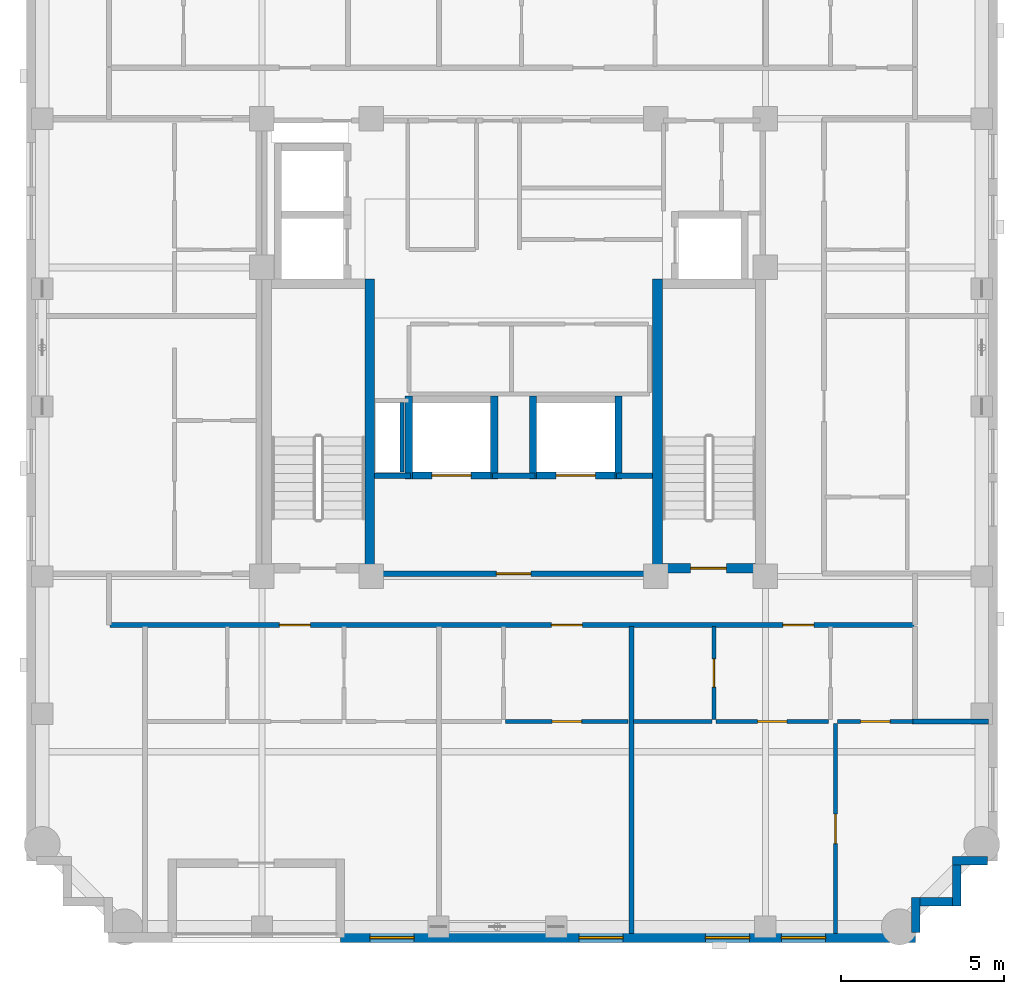
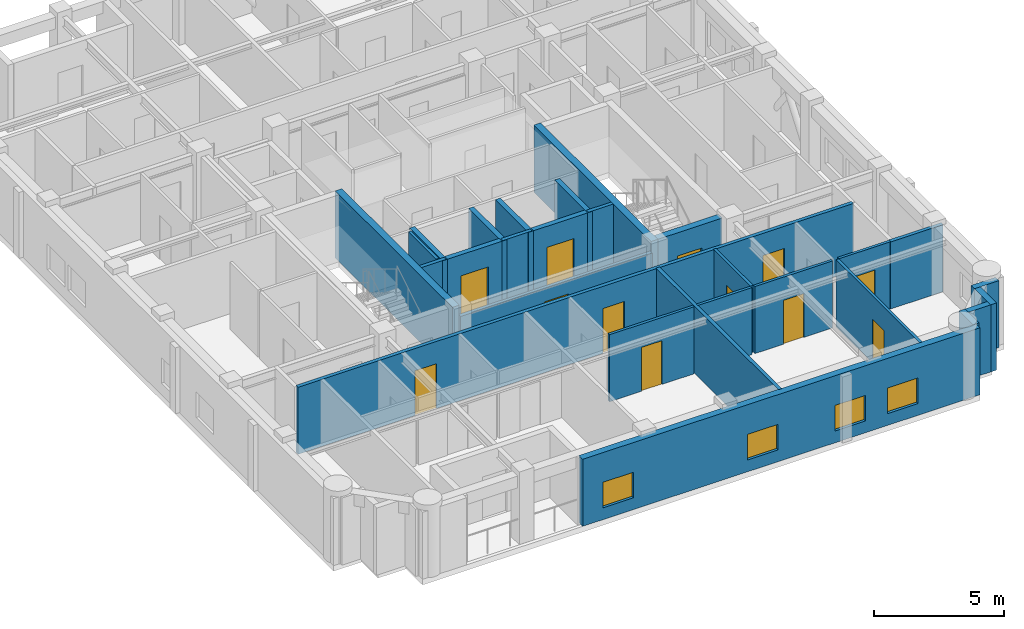
# One storey, part 3 of 10: 28 walls, 12 doors, 4 windows, 16 openings.
"""IFC4 building model written with IfcOpenShell, lengths in metres."""

from ifc_helpers import new_model, si_unit, derived_unit, direction, frame, frame_2d, origin, place, context, subcontext, project, spatial, rectangle, extrude, material, layer, layer_set, type_object, element, fill, save


model = new_model("IFC4")

# Units and contexts
model_context = context("Model", 3, precision=1e-05, world=origin(), true_north=direction((0.0, 1.0)))
body_context = subcontext(model_context, "Body", "Model", "MODEL_VIEW")
ifc_project = project(units=[si_unit("LENGTHUNIT", "METRE"), si_unit("AREAUNIT", "SQUARE_METRE"), si_unit("VOLUMEUNIT", "CUBIC_METRE"), si_unit("PLANEANGLEUNIT", "RADIAN"), si_unit("MASSUNIT", "GRAM", prefix="KILO"), derived_unit("THERMALTRANSMITTANCEUNIT", [(si_unit("MASSUNIT", "GRAM", prefix="KILO"), 1), (si_unit("TIMEUNIT", "SECOND"), -3), (si_unit("THERMODYNAMICTEMPERATUREUNIT", "KELVIN"), -1)])], contexts=[model_context])

# Site, building, storey
site_placement = place(None, origin())
site = spatial("IfcSite", under=ifc_project, at=site_placement, CompositionType="ELEMENT")
building_placement = place(site_placement, origin())
building = spatial("IfcBuilding", under=site, at=building_placement, Name="Korrvale Station Residences", CompositionType="ELEMENT")
storey_placement = place(building_placement, frame((0.0, 0.0, 234.300048828125)))
storey = spatial("IfcBuildingStorey", under=building, at=storey_placement, Name="L68", CompositionType="ELEMENT", Elevation=234.300048828125)

# Walls
ifc_material_1 = material(Name="Concrete C50/60", Category="concrete")
ifc_layer_1 = layer(ifc_material_1, 0.300048828125, Name="Concrete C50/60")
ifc_layer_set_1 = layer_set([ifc_layer_1], Name="Concrete C50/60")
wall_type_1 = type_object("IfcWallType", Name="WAL-CORE-300-C50", PredefinedType="SHEAR", material=ifc_layer_set_1)
for number, where, z_axis, x_axis, name in (
    (1, (21.10009765625, 15.10009765625, 0.0), (0.0, 0.0, 1.0), (0.0, 1.0, 0.0), "L68 ST-1 Core Shear Wall East"),
    (2, (29.89990234375, 15.10009765625, 0.0), (0.0, 0.0, 1.0), (0.0, 1.0, 0.0), "L68 ST-2 Core Shear Wall West"),
):
    element("IfcWall", number, at=place(storey_placement, frame(where, z_axis=z_axis, x_axis=x_axis)), inside=storey, type_object=wall_type_1, Name=name, PredefinedType="SHEAR", context=body_context, shape_type="SweptSolid", body=[
        extrude(rectangle(XDim=9.0, YDim=0.300048828125, at=frame_2d((4.5, 0.0))), origin(), (0.0, 0.0, 1.0), 3.139892578125),
    ])

# Wall, opening, door
wall_1_placement = place(storey_placement, frame((30.050048828125, 15.25, 0.0), z_axis=(0.0, 0.0, 1.0), x_axis=(1.0, 0.0, 0.0)))
wall_1 = element("IfcWall", 3, at=wall_1_placement, inside=storey, type_object=wall_type_1, Name="L68 ST-2 Core Shear Wall South", PredefinedType="SHEAR", context=body_context, shape_type="SweptSolid", body=[
    extrude(rectangle(XDim=2.849853515625, YDim=0.300048828125, at=frame_2d((1.4248046875, 0.0))), origin(), (0.0, 0.0, 1.0), 3.139892578125),
])
opening_1_placement = place(wall_1_placement, frame((0.860107421875, 0.0, 0.0)))
opening_1 = element("IfcOpeningElement", 4, at=opening_1_placement, cuts=wall_1, Name="Opening SD-1100", PredefinedType="OPENING", context=body_context, shape_type="SweptSolid", body=[
    extrude(rectangle(XDim=1.10009765625, YDim=2.050048828125, at=frame_2d((0.550048828125, 1.02490234375))), frame((0.0, 0.16015625, 0.0), z_axis=(0.0, -1.0, 0.0), x_axis=(1.0, 0.0, 0.0)), (0.0, 0.0, 1.0), 0.320068359375),
])
ifc_material_2 = material(Name="Hollow-metal fire-rated stair door with closer", Category="steel")
door_type_1 = type_object("IfcDoorType", Name="DR-STAIR-1100", OperationType="NOTDEFINED", PredefinedType="DOOR", material=ifc_material_2)
door_1_placement = place(opening_1_placement, origin())
door_1 = element("IfcDoor", 5, at=door_1_placement, inside=storey, type_object=door_type_1, Name="L68 ST-2 Exit Stair Door", OperationType="SINGLE_SWING_RIGHT", OverallHeight=2.050048828125, OverallWidth=1.10009765625, PredefinedType="DOOR", context=body_context, shape_type="SweptSolid", body=[
    extrude(rectangle(XDim=1.10009765625, YDim=2.050048828125, at=frame_2d((0.550048828125, 1.02490234375))), frame((0.0, 0.02490234375, 0.0), z_axis=(0.0, -1.0, 0.0), x_axis=(1.0, 0.0, 0.0)), (0.0, 0.0, 1.0), 0.050048828125),
])
fill(opening_1, door_1)

# Walls
ifc_material_3 = material(Name="Precast concrete C45/55", Category="concrete")
ifc_layer_2 = layer(ifc_material_3, 0.260009765625, Name="Precast concrete C45/55")
ifc_layer_set_2 = layer_set([ifc_layer_2], Name="Precast concrete C45/55")
wall_type_2 = type_object("IfcWallType", Name="WAL-EXT-LOG260", PredefinedType="SOLIDWALL", material=ifc_layer_set_2)
wall_2_placement = place(storey_placement, frame((39.998046875, 6.300048828125, 0.0), z_axis=(0.0, 0.0, 1.0), x_axis=(-1.0, 0.0, 0.0)))
element("IfcWall", 6, at=wall_2_placement, inside=storey, type_object=wall_type_2, Name="L68 Serrated Corner Precast Step SE-1", PredefinedType="SOLIDWALL", context=body_context, shape_type="SweptSolid", body=[
    extrude(rectangle(XDim=1.078125, YDim=0.260009765625, at=frame_2d((0.5390625, 0.0))), origin(), (0.0, 0.0, 1.0), 3.139892578125),
])
wall_3_placement = place(storey_placement, frame((39.050048828125, 6.16796875, 0.0), z_axis=(0.0, 0.0, 1.0), x_axis=(0.0, -1.0, 0.0)))
element("IfcWall", 7, at=wall_3_placement, inside=storey, type_object=wall_type_2, Name="L68 Serrated Corner Precast Step SE-2", PredefinedType="SOLIDWALL", context=body_context, shape_type="SweptSolid", body=[
    extrude(rectangle(XDim=1.248046875, YDim=0.260009765625, at=frame_2d((0.6240234375, 0.0))), origin(), (0.0, 0.0, 1.0), 3.139892578125),
])
wall_4_placement = place(storey_placement, frame((38.91796875, 5.050048828125, 0.0), z_axis=(0.0, 0.0, 1.0), x_axis=(-1.0, 0.0, 0.0)))
element("IfcWall", 8, at=wall_4_placement, inside=storey, type_object=wall_type_2, Name="L68 Serrated Corner Precast Step SE-3", PredefinedType="SOLIDWALL", context=body_context, shape_type="SweptSolid", body=[
    extrude(rectangle(XDim=0.986083984375, YDim=0.260009765625, at=frame_2d((0.4931640625, 0.0))), origin(), (0.0, 0.0, 1.0), 3.139892578125),
])
wall_5_placement = place(storey_placement, frame((37.800048828125, 5.179931640625, 0.0), z_axis=(0.0, 0.0, 1.0), x_axis=(0.0, -1.0, 0.0)))
element("IfcWall", 9, at=wall_5_placement, inside=storey, type_object=wall_type_2, Name="L68 Serrated Corner Precast Step SE-4", PredefinedType="SOLIDWALL", context=body_context, shape_type="SweptSolid", body=[
    extrude(rectangle(XDim=1.077880859375, YDim=0.260009765625, at=frame_2d((0.5390625, 0.0))), origin(), (0.0, 0.0, 1.0), 3.139892578125),
])

# Wall, openings, windows
ifc_layer_3 = layer(ifc_material_3, 0.300048828125, Name="Precast concrete C45/55")
ifc_layer_set_3 = layer_set([ifc_layer_3], Name="Precast concrete C45/55")
wall_type_3 = type_object("IfcWallType", Name="WAL-EXT-PC300", PredefinedType="SOLIDWALL", material=ifc_layer_set_3)
wall_6_placement = place(storey_placement, frame((37.800048828125, 3.949951171875, 0.0), z_axis=(0.0, 0.0, 1.0), x_axis=(-1.0, 0.0, 0.0)))
wall_6 = element("IfcWall", 10, at=wall_6_placement, inside=storey, type_object=wall_type_3, Name="L68 South Exterior Precast Wall 1", PredefinedType="SOLIDWALL", context=body_context, shape_type="SweptSolid", body=[
    extrude(rectangle(XDim=17.60009765625, YDim=0.300048828125, at=frame_2d((8.800048828125, 0.0))), origin(), (0.0, 0.0, 1.0), 3.139892578125),
])
opening_2_placement = place(wall_6_placement, frame((15.344970703125, 0.0, 0.550048828125)))
opening_2 = element("IfcOpeningElement", 11, at=opening_2_placement, cuts=wall_6, Name="Opening W-10", PredefinedType="OPENING", context=body_context, shape_type="SweptSolid", body=[
    extrude(rectangle(XDim=1.35009765625, YDim=1.199951171875, at=frame_2d((0.675048828125, 0.60009765625))), frame((0.0, 0.16015625, 0.0), z_axis=(0.0, -1.0, 0.0), x_axis=(1.0, 0.0, 0.0)), (0.0, 0.0, 1.0), 0.320068359375),
])
opening_3_placement = place(wall_6_placement, frame((8.949951171875, 0.0, 0.550048828125)))
opening_3 = element("IfcOpeningElement", 12, at=opening_3_placement, cuts=wall_6, Name="Opening W-10", PredefinedType="OPENING", context=body_context, shape_type="SweptSolid", body=[
    extrude(rectangle(XDim=1.35009765625, YDim=1.199951171875, at=frame_2d((0.675048828125, 0.60009765625))), frame((0.0, 0.16015625, 0.0), z_axis=(0.0, -1.0, 0.0), x_axis=(1.0, 0.0, 0.0)), (0.0, 0.0, 1.0), 0.320068359375),
])
opening_4_placement = place(wall_6_placement, frame((5.0849609375, 0.0, 0.550048828125)))
opening_4 = element("IfcOpeningElement", 13, at=opening_4_placement, cuts=wall_6, Name="Opening W-10", PredefinedType="OPENING", context=body_context, shape_type="SweptSolid", body=[
    extrude(rectangle(XDim=1.35009765625, YDim=1.199951171875, at=frame_2d((0.675048828125, 0.60009765625))), frame((0.0, 0.16015625, 0.0), z_axis=(0.0, -1.0, 0.0), x_axis=(1.0, 0.0, 0.0)), (0.0, 0.0, 1.0), 0.320068359375),
])
opening_5_placement = place(wall_6_placement, frame((2.757080078125, 0.0, 0.550048828125)))
opening_5 = element("IfcOpeningElement", 14, at=opening_5_placement, cuts=wall_6, Name="Opening W-10", PredefinedType="OPENING", context=body_context, shape_type="SweptSolid", body=[
    extrude(rectangle(XDim=1.35009765625, YDim=1.199951171875, at=frame_2d((0.675048828125, 0.60009765625))), frame((0.0, 0.16015625, 0.0), z_axis=(0.0, -1.0, 0.0), x_axis=(1.0, 0.0, 0.0)), (0.0, 0.0, 1.0), 0.320068359375),
])
ifc_material_4 = material(Name="Thermally broken aluminium frame with triple low-e glazing", Category="aluminium")
window_type = type_object("IfcWindowType", Name="WIN-W10", PartitioningType="SINGLE_PANEL", PredefinedType="WINDOW", material=ifc_material_4)
window_1_placement = place(opening_2_placement, origin())
window_1 = element("IfcWindow", 15, at=window_1_placement, inside=storey, type_object=window_type, Name="L68 Punched Window 01", OverallHeight=1.199951171875, OverallWidth=1.35009765625, PartitioningType="SINGLE_PANEL", PredefinedType="WINDOW", context=body_context, shape_type="SweptSolid", body=[
    extrude(rectangle(XDim=1.35009765625, YDim=1.199951171875, at=frame_2d((0.675048828125, 0.60009765625))), frame((0.0, 0.030029296875, 0.0), z_axis=(0.0, -1.0, 0.0), x_axis=(1.0, 0.0, 0.0)), (0.0, 0.0, 1.0), 0.06005859375),
])
fill(opening_2, window_1)
window_2_placement = place(opening_3_placement, origin())
window_2 = element("IfcWindow", 16, at=window_2_placement, inside=storey, type_object=window_type, Name="L68 Punched Window 02", OverallHeight=1.199951171875, OverallWidth=1.35009765625, PartitioningType="SINGLE_PANEL", PredefinedType="WINDOW", context=body_context, shape_type="SweptSolid", body=[
    extrude(rectangle(XDim=1.35009765625, YDim=1.199951171875, at=frame_2d((0.675048828125, 0.60009765625))), frame((0.0, 0.030029296875, 0.0), z_axis=(0.0, -1.0, 0.0), x_axis=(1.0, 0.0, 0.0)), (0.0, 0.0, 1.0), 0.06005859375),
])
fill(opening_3, window_2)
window_3_placement = place(opening_4_placement, origin())
window_3 = element("IfcWindow", 17, at=window_3_placement, inside=storey, type_object=window_type, Name="L68 Punched Window 03", OverallHeight=1.199951171875, OverallWidth=1.35009765625, PartitioningType="SINGLE_PANEL", PredefinedType="WINDOW", context=body_context, shape_type="SweptSolid", body=[
    extrude(rectangle(XDim=1.35009765625, YDim=1.199951171875, at=frame_2d((0.675048828125, 0.60009765625))), frame((0.0, 0.030029296875, 0.0), z_axis=(0.0, -1.0, 0.0), x_axis=(1.0, 0.0, 0.0)), (0.0, 0.0, 1.0), 0.06005859375),
])
fill(opening_4, window_3)
window_4_placement = place(opening_5_placement, origin())
window_4 = element("IfcWindow", 18, at=window_4_placement, inside=storey, type_object=window_type, Name="L68 Punched Window 04", OverallHeight=1.199951171875, OverallWidth=1.35009765625, PartitioningType="SINGLE_PANEL", PredefinedType="WINDOW", context=body_context, shape_type="SweptSolid", body=[
    extrude(rectangle(XDim=1.35009765625, YDim=1.199951171875, at=frame_2d((0.675048828125, 0.60009765625))), frame((0.0, 0.030029296875, 0.0), z_axis=(0.0, -1.0, 0.0), x_axis=(1.0, 0.0, 0.0)), (0.0, 0.0, 1.0), 0.06005859375),
])
fill(opening_5, window_4)

# Wall
ifc_material_5 = material(Name="Acoustic steel-stud gypsum board partition", Category="steel")
ifc_layer_4 = layer(ifc_material_5, 0.1201171875, Name="Acoustic steel-stud gypsum board partition")
ifc_layer_set_4 = layer_set([ifc_layer_4], Name="Acoustic steel-stud gypsum board partition")
wall_type_4 = type_object("IfcWallType", Name="WAL-PART-125", PredefinedType="PARTITIONING", material=ifc_layer_set_4)
wall_7_placement = place(storey_placement, frame((22.080078125, 18.199951171875, 0.0), z_axis=(0.0, 0.0, 1.0), x_axis=(0.0, 1.0, 0.0)))
element("IfcWall", 19, at=wall_7_placement, inside=storey, type_object=wall_type_4, Name="L68 Core Partition CW-RSWT", PredefinedType="PARTITIONING", context=body_context, shape_type="SweptSolid", body=[
    extrude(rectangle(XDim=2.1201171875, YDim=0.1201171875, at=frame_2d((1.06005859375, 0.0))), origin(), (0.0, 0.0, 1.0), 3.139892578125),
])

# Wall, opening, door
wall_8_placement = place(storey_placement, frame((25.25, 10.56005859375, 0.0), z_axis=(0.0, 0.0, 1.0), x_axis=(1.0, 0.0, 0.0)))
wall_8 = element("IfcWall", 20, at=wall_8_placement, inside=storey, type_object=wall_type_4, Name="L68 Suite Partition U02-H12", PredefinedType="PARTITIONING", context=body_context, shape_type="SweptSolid", body=[
    extrude(rectangle(XDim=3.7548828125, YDim=0.1201171875, at=frame_2d((1.87744140625, 0.0))), origin(), (0.0, 0.0, 1.0), 3.139892578125),
])
opening_6_placement = place(wall_8_placement, frame((1.427001953125, 0.0, 0.0)))
opening_6 = element("IfcOpeningElement", 21, at=opening_6_placement, cuts=wall_8, Name="Opening DI-900", PredefinedType="OPENING", context=body_context, shape_type="SweptSolid", body=[
    extrude(rectangle(XDim=0.89990234375, YDim=2.050048828125, at=frame_2d((0.449951171875, 1.02490234375))), frame((0.0, 0.070068359375, 0.0), z_axis=(0.0, -1.0, 0.0), x_axis=(1.0, 0.0, 0.0)), (0.0, 0.0, 1.0), 0.14013671875),
])
ifc_material_6 = material(Name="Painted solid-core timber interior room door", Category="wood")
door_type_2 = type_object("IfcDoorType", Name="DR-INT-900", OperationType="NOTDEFINED", PredefinedType="DOOR", material=ifc_material_6)
door_2_placement = place(opening_6_placement, origin())
door_2 = element("IfcDoor", 22, at=door_2_placement, inside=storey, type_object=door_type_2, Name="L68 Studio Apartment L68-U02 Kitchen Door", OperationType="SINGLE_SWING_RIGHT", OverallHeight=2.050048828125, OverallWidth=0.89990234375, PredefinedType="DOOR", context=body_context, shape_type="SweptSolid", body=[
    extrude(rectangle(XDim=0.89990234375, YDim=2.050048828125, at=frame_2d((0.449951171875, 1.02490234375))), frame((0.0, 0.02490234375, 0.0), z_axis=(0.0, -1.0, 0.0), x_axis=(1.0, 0.0, 0.0)), (0.0, 0.0, 1.0), 0.050048828125),
])
fill(opening_6, door_2)

wall_9_placement = place(storey_placement, frame((31.625, 10.6201171875, 0.0), z_axis=(0.0, 0.0, 1.0), x_axis=(0.0, 1.0, 0.0)))
wall_9 = element("IfcWall", 23, at=wall_9_placement, inside=storey, type_object=wall_type_4, Name="L68 Suite Partition U03-V01", PredefinedType="PARTITIONING", context=body_context, shape_type="SweptSolid", body=[
    extrude(rectangle(XDim=2.849853515625, YDim=0.1201171875, at=frame_2d((1.4248046875, 0.0))), origin(), (0.0, 0.0, 1.0), 3.139892578125),
])
opening_7_placement = place(wall_9_placement, frame((0.9951171875, 0.0, 0.0)))
opening_7 = element("IfcOpeningElement", 24, at=opening_7_placement, cuts=wall_9, Name="Opening DB-860", PredefinedType="OPENING", context=body_context, shape_type="SweptSolid", body=[
    extrude(rectangle(XDim=0.860107421875, YDim=2.050048828125, at=frame_2d((0.43017578125, 1.02490234375))), frame((0.0, 0.070068359375, 0.0), z_axis=(0.0, -1.0, 0.0), x_axis=(1.0, 0.0, 0.0)), (0.0, 0.0, 1.0), 0.14013671875),
])
ifc_material_7 = material(Name="Moisture-resistant solid-core bathroom door", Category="timber")
door_type_3 = type_object("IfcDoorType", Name="DR-BATH-860", OperationType="NOTDEFINED", PredefinedType="DOOR", material=ifc_material_7)
door_3_placement = place(opening_7_placement, origin())
door_3 = element("IfcDoor", 25, at=door_3_placement, inside=storey, type_object=door_type_3, Name="L68 Apartment 1BR L68-U03 Bathroom Door", OperationType="SINGLE_SWING_LEFT", OverallHeight=2.050048828125, OverallWidth=0.860107421875, PredefinedType="DOOR", context=body_context, shape_type="SweptSolid", body=[
    extrude(rectangle(XDim=0.860107421875, YDim=2.050048828125, at=frame_2d((0.43017578125, 1.02490234375))), frame((0.0, 0.02490234375, 0.0), z_axis=(0.0, -1.0, 0.0), x_axis=(1.0, 0.0, 0.0)), (0.0, 0.0, 1.0), 0.050048828125),
])
fill(opening_7, door_3)

# Wall
wall_10_placement = place(storey_placement, frame((29.1650390625, 10.56005859375, 0.0), z_axis=(0.0, 0.0, 1.0), x_axis=(1.0, 0.0, 0.0)))
element("IfcWall", 26, at=wall_10_placement, inside=storey, type_object=wall_type_4, Name="L68 Suite Partition U03-H03", PredefinedType="PARTITIONING", context=body_context, shape_type="SweptSolid", body=[
    extrude(rectangle(XDim=2.39990234375, YDim=0.1201171875, at=frame_2d((1.199951171875, 0.0))), origin(), (0.0, 0.0, 1.0), 3.139892578125),
])

# Wall, opening, door
wall_11_placement = place(storey_placement, frame((31.68505859375, 10.56005859375, 0.0), z_axis=(0.0, 0.0, 1.0), x_axis=(1.0, 0.0, 0.0)))
wall_11 = element("IfcWall", 27, at=wall_11_placement, inside=storey, type_object=wall_type_4, Name="L68 Suite Partition U03-H13", PredefinedType="PARTITIONING", context=body_context, shape_type="SweptSolid", body=[
    extrude(rectangle(XDim=3.449951171875, YDim=0.1201171875, at=frame_2d((1.72509765625, 0.0))), origin(), (0.0, 0.0, 1.0), 3.139892578125),
])
opening_8_placement = place(wall_11_placement, frame((1.27490234375, 0.0, 0.0)))
opening_8 = element("IfcOpeningElement", 28, at=opening_8_placement, cuts=wall_11, Name="Opening DI-900", PredefinedType="OPENING", context=body_context, shape_type="SweptSolid", body=[
    extrude(rectangle(XDim=0.89990234375, YDim=2.050048828125, at=frame_2d((0.449951171875, 1.02490234375))), frame((0.0, 0.070068359375, 0.0), z_axis=(0.0, -1.0, 0.0), x_axis=(1.0, 0.0, 0.0)), (0.0, 0.0, 1.0), 0.14013671875),
])
door_4_placement = place(opening_8_placement, origin())
door_4 = element("IfcDoor", 29, at=door_4_placement, inside=storey, type_object=door_type_2, Name="L68 Apartment 1BR L68-U03 Kitchen Door", OperationType="SINGLE_SWING_LEFT", OverallHeight=2.050048828125, OverallWidth=0.89990234375, PredefinedType="DOOR", context=body_context, shape_type="SweptSolid", body=[
    extrude(rectangle(XDim=0.89990234375, YDim=2.050048828125, at=frame_2d((0.449951171875, 1.02490234375))), frame((0.0, 0.02490234375, 0.0), z_axis=(0.0, -1.0, 0.0), x_axis=(1.0, 0.0, 0.0)), (0.0, 0.0, 1.0), 0.050048828125),
])
fill(opening_8, door_4)

wall_12_placement = place(storey_placement, frame((35.409912109375, 10.56005859375, 0.0), z_axis=(0.0, 0.0, 1.0), x_axis=(1.0, 0.0, 0.0)))
wall_12 = element("IfcWall", 30, at=wall_12_placement, inside=storey, type_object=wall_type_4, Name="L68 Suite Partition U03-H24", PredefinedType="PARTITIONING", context=body_context, shape_type="SweptSolid", body=[
    extrude(rectangle(XDim=2.31005859375, YDim=0.1201171875, at=frame_2d((1.155029296875, 0.0))), origin(), (0.0, 0.0, 1.0), 3.139892578125),
])
opening_9_placement = place(wall_12_placement, frame((0.705078125, 0.0, 0.0)))
opening_9 = element("IfcOpeningElement", 31, at=opening_9_placement, cuts=wall_12, Name="Opening DI-900", PredefinedType="OPENING", context=body_context, shape_type="SweptSolid", body=[
    extrude(rectangle(XDim=0.89990234375, YDim=2.050048828125, at=frame_2d((0.449951171875, 1.02490234375))), frame((0.0, 0.070068359375, 0.0), z_axis=(0.0, -1.0, 0.0), x_axis=(1.0, 0.0, 0.0)), (0.0, 0.0, 1.0), 0.14013671875),
])
door_5_placement = place(opening_9_placement, origin())
door_5 = element("IfcDoor", 32, at=door_5_placement, inside=storey, type_object=door_type_2, Name="L68 Apartment 1BR L68-U03 Utility and Laundry Room Door", OperationType="SINGLE_SWING_RIGHT", OverallHeight=2.050048828125, OverallWidth=0.89990234375, PredefinedType="DOOR", context=body_context, shape_type="SweptSolid", body=[
    extrude(rectangle(XDim=0.89990234375, YDim=2.050048828125, at=frame_2d((0.449951171875, 1.02490234375))), frame((0.0, 0.02490234375, 0.0), z_axis=(0.0, -1.0, 0.0), x_axis=(1.0, 0.0, 0.0)), (0.0, 0.0, 1.0), 0.050048828125),
])
fill(opening_9, door_5)

wall_13_placement = place(storey_placement, frame((35.35009765625, 4.080078125, 0.0), z_axis=(0.0, 0.0, 1.0), x_axis=(0.0, 1.0, 0.0)))
wall_13 = element("IfcWall", 33, at=wall_13_placement, inside=storey, type_object=wall_type_4, Name="L68 Suite Partition U03-V34", PredefinedType="PARTITIONING", context=body_context, shape_type="SweptSolid", body=[
    extrude(rectangle(XDim=6.419921875, YDim=0.1201171875, at=frame_2d((3.2099609375, 0.0))), origin(), (0.0, 0.0, 1.0), 3.139892578125),
])
opening_10_placement = place(wall_13_placement, frame((2.7451171875, 0.0, 0.0)))
opening_10 = element("IfcOpeningElement", 34, at=opening_10_placement, cuts=wall_13, Name="Opening DI-900", PredefinedType="OPENING", context=body_context, shape_type="SweptSolid", body=[
    extrude(rectangle(XDim=0.89990234375, YDim=2.050048828125, at=frame_2d((0.449951171875, 1.02490234375))), frame((0.0, 0.070068359375, 0.0), z_axis=(0.0, -1.0, 0.0), x_axis=(1.0, 0.0, 0.0)), (0.0, 0.0, 1.0), 0.14013671875),
])
door_6_placement = place(opening_10_placement, origin())
door_6 = element("IfcDoor", 35, at=door_6_placement, inside=storey, type_object=door_type_2, Name="L68 Apartment 1BR L68-U03 Living and Dining Room Door", OperationType="SINGLE_SWING_LEFT", OverallHeight=2.050048828125, OverallWidth=0.89990234375, PredefinedType="DOOR", context=body_context, shape_type="SweptSolid", body=[
    extrude(rectangle(XDim=0.89990234375, YDim=2.050048828125, at=frame_2d((0.449951171875, 1.02490234375))), frame((0.0, 0.02490234375, 0.0), z_axis=(0.0, -1.0, 0.0), x_axis=(1.0, 0.0, 0.0)), (0.0, 0.0, 1.0), 0.050048828125),
])
fill(opening_10, door_6)

ifc_material_8 = material(Name="Fire-rated twin-stud gypsum and mineral wool shaftwall assembly", Category="gypsum")
ifc_layer_5 = layer(ifc_material_8, 0.159912109375, Name="Fire-rated twin-stud gypsum and mineral wool shaftwall assembly")
ifc_layer_set_5 = layer_set([ifc_layer_5], Name="Fire-rated twin-stud gypsum and mineral wool shaftwall assembly")
wall_type_5 = type_object("IfcWallType", Name="WAL-PART-200", PredefinedType="PARTITIONING", material=ifc_layer_set_5)
wall_14_placement = place(storey_placement, frame((21.25, 15.080078125, 0.0), z_axis=(0.0, 0.0, 1.0), x_axis=(1.0, 0.0, 0.0)))
wall_14 = element("IfcWall", 36, at=wall_14_placement, inside=storey, type_object=wall_type_5, Name="L68 Core Partition CW-FFL-S", PredefinedType="PARTITIONING", context=body_context, shape_type="SweptSolid", body=[
    extrude(rectangle(XDim=8.5, YDim=0.159912109375, at=frame_2d((4.25, 0.0))), origin(), (0.0, 0.0, 1.0), 2.66796875),
])
opening_11_placement = place(wall_14_placement, frame((3.72509765625, 0.0, 0.0)))
opening_11 = element("IfcOpeningElement", 37, at=opening_11_placement, cuts=wall_14, Name="Opening FD-1050", PredefinedType="OPENING", context=body_context, shape_type="SweptSolid", body=[
    extrude(rectangle(XDim=1.050048828125, YDim=2.050048828125, at=frame_2d((0.52490234375, 1.02490234375))), frame((0.0, 0.08984375, 0.0), z_axis=(0.0, -1.0, 0.0), x_axis=(1.0, 0.0, 0.0)), (0.0, 0.0, 1.0), 0.179931640625),
])
ifc_material_9 = material(Name="Fire-rated mineral-core timber lobby door", Category="wood")
door_type_4 = type_object("IfcDoorType", Name="DR-CORE-1050", OperationType="NOTDEFINED", PredefinedType="DOOR", material=ifc_material_9)
door_7_placement = place(opening_11_placement, origin())
door_7 = element("IfcDoor", 38, at=door_7_placement, inside=storey, type_object=door_type_4, Name="L68 Firefighting Lobby Entry Door", OperationType="SINGLE_SWING_LEFT", OverallHeight=2.050048828125, OverallWidth=1.050048828125, PredefinedType="DOOR", context=body_context, shape_type="SweptSolid", body=[
    extrude(rectangle(XDim=1.050048828125, YDim=2.050048828125, at=frame_2d((0.52490234375, 1.02490234375))), frame((0.0, 0.02490234375, 0.0), z_axis=(0.0, -1.0, 0.0), x_axis=(1.0, 0.0, 0.0)), (0.0, 0.0, 1.0), 0.050048828125),
])
fill(opening_11, door_7)

# Walls
wall_15_placement = place(storey_placement, frame((21.25, 18.080078125, 0.0), z_axis=(0.0, 0.0, 1.0), x_axis=(1.0, 0.0, 0.0)))
element("IfcWall", 39, at=wall_15_placement, inside=storey, type_object=wall_type_5, Name="L68 Core Partition CW-FFL-N1", PredefinedType="PARTITIONING", context=body_context, shape_type="SweptSolid", body=[
    extrude(rectangle(XDim=1.10009765625, YDim=0.159912109375, at=frame_2d((0.550048828125, 0.0))), origin(), (0.0, 0.0, 1.0), 3.139892578125),
])
wall_16_placement = place(storey_placement, frame((24.85009765625, 18.080078125, 0.0), z_axis=(0.0, 0.0, 1.0), x_axis=(1.0, 0.0, 0.0)))
element("IfcWall", 40, at=wall_16_placement, inside=storey, type_object=wall_type_5, Name="L68 Core Partition CW-FFL-N2", PredefinedType="PARTITIONING", context=body_context, shape_type="SweptSolid", body=[
    extrude(rectangle(XDim=1.2998046875, YDim=0.159912109375, at=frame_2d((0.64990234375, 0.0))), origin(), (0.0, 0.0, 1.0), 3.139892578125),
])
wall_17_placement = place(storey_placement, frame((28.64990234375, 18.080078125, 0.0), z_axis=(0.0, 0.0, 1.0), x_axis=(1.0, 0.0, 0.0)))
element("IfcWall", 41, at=wall_17_placement, inside=storey, type_object=wall_type_5, Name="L68 Core Partition CW-FFL-N3", PredefinedType="PARTITIONING", context=body_context, shape_type="SweptSolid", body=[
    extrude(rectangle(XDim=1.10009765625, YDim=0.159912109375, at=frame_2d((0.550048828125, 0.0))), origin(), (0.0, 0.0, 1.0), 3.139892578125),
])
wall_18_placement = place(storey_placement, frame((37.679931640625, 10.56005859375, 0.0), z_axis=(0.0, 0.0, 1.0), x_axis=(1.0, 0.0, 0.0)))
element("IfcWall", 42, at=wall_18_placement, inside=storey, type_object=wall_type_5, Name="L68 Corner Step Wall U03-R", PredefinedType="PARTITIONING", context=body_context, shape_type="SweptSolid", body=[
    extrude(rectangle(XDim=2.340087890625, YDim=0.159912109375, at=frame_2d((1.169921875, 0.0))), origin(), (0.0, 0.0, 1.0), 3.139892578125),
])
wall_19_placement = place(storey_placement, frame((29.10498046875, 4.080078125, 0.0), z_axis=(0.0, 0.0, 1.0), x_axis=(0.0, 1.0, 0.0)))
element("IfcWall", 43, at=wall_19_placement, inside=storey, type_object=wall_type_5, Name="L68 Demising Wall U03-W", PredefinedType="PARTITIONING", context=body_context, shape_type="SweptSolid", body=[
    extrude(rectangle(XDim=9.389892578125, YDim=0.159912109375, at=frame_2d((4.69482421875, 0.0))), origin(), (0.0, 0.0, 1.0), 3.139892578125),
])

# Wall, openings, doors
wall_20_placement = place(storey_placement, frame((13.14990234375, 13.510009765625, 0.0), z_axis=(0.0, 0.0, 1.0), x_axis=(1.0, 0.0, 0.0)))
wall_20 = element("IfcWall", 44, at=wall_20_placement, inside=storey, type_object=wall_type_5, Name="L68 Rated Corridor Wall S", PredefinedType="PARTITIONING", context=body_context, shape_type="SweptSolid", body=[
    extrude(rectangle(XDim=24.60009765625, YDim=0.159912109375, at=frame_2d((12.300048828125, 0.0))), origin(), (0.0, 0.0, 1.0), 3.139892578125),
])
opening_12_placement = place(wall_20_placement, frame((5.18505859375, 0.0, 0.0)))
opening_12 = element("IfcOpeningElement", 45, at=opening_12_placement, cuts=wall_20, Name="Opening UD-950", PredefinedType="OPENING", context=body_context, shape_type="SweptSolid", body=[
    extrude(rectangle(XDim=0.949951171875, YDim=2.10009765625, at=frame_2d((0.47509765625, 1.050048828125))), frame((0.0, 0.08984375, 0.0), z_axis=(0.0, -1.0, 0.0), x_axis=(1.0, 0.0, 0.0)), (0.0, 0.0, 1.0), 0.179931640625),
])
opening_13_placement = place(wall_20_placement, frame((13.5029296875, 0.0, 0.0)))
opening_13 = element("IfcOpeningElement", 46, at=opening_13_placement, cuts=wall_20, Name="Opening UD-950", PredefinedType="OPENING", context=body_context, shape_type="SweptSolid", body=[
    extrude(rectangle(XDim=0.949951171875, YDim=2.10009765625, at=frame_2d((0.47509765625, 1.050048828125))), frame((0.0, 0.08984375, 0.0), z_axis=(0.0, -1.0, 0.0), x_axis=(1.0, 0.0, 0.0)), (0.0, 0.0, 1.0), 0.179931640625),
])
opening_14_placement = place(wall_20_placement, frame((20.5849609375, 0.0, 0.0)))
opening_14 = element("IfcOpeningElement", 47, at=opening_14_placement, cuts=wall_20, Name="Opening UD-950", PredefinedType="OPENING", context=body_context, shape_type="SweptSolid", body=[
    extrude(rectangle(XDim=0.949951171875, YDim=2.10009765625, at=frame_2d((0.47509765625, 1.050048828125))), frame((0.0, 0.08984375, 0.0), z_axis=(0.0, -1.0, 0.0), x_axis=(1.0, 0.0, 0.0)), (0.0, 0.0, 1.0), 0.179931640625),
])
ifc_material_10 = material(Name="Solid-core acoustic oak apartment entrance door", Category="timber")
door_type_5 = type_object("IfcDoorType", Name="DR-UNIT-950", OperationType="NOTDEFINED", PredefinedType="DOOR", material=ifc_material_10)
door_8_placement = place(opening_12_placement, origin())
door_8 = element("IfcDoor", 48, at=door_8_placement, inside=storey, type_object=door_type_5, Name="L68 Apartment L68-U01 Entrance Door", OperationType="SINGLE_SWING_LEFT", OverallHeight=2.10009765625, OverallWidth=0.949951171875, PredefinedType="DOOR", context=body_context, shape_type="SweptSolid", body=[
    extrude(rectangle(XDim=0.949951171875, YDim=2.10009765625, at=frame_2d((0.47509765625, 1.050048828125))), frame((0.0, 0.02490234375, 0.0), z_axis=(0.0, -1.0, 0.0), x_axis=(1.0, 0.0, 0.0)), (0.0, 0.0, 1.0), 0.050048828125),
])
fill(opening_12, door_8)
door_9_placement = place(opening_13_placement, origin())
door_9 = element("IfcDoor", 49, at=door_9_placement, inside=storey, type_object=door_type_5, Name="L68 Apartment L68-U02 Entrance Door", OperationType="SINGLE_SWING_RIGHT", OverallHeight=2.10009765625, OverallWidth=0.949951171875, PredefinedType="DOOR", context=body_context, shape_type="SweptSolid", body=[
    extrude(rectangle(XDim=0.949951171875, YDim=2.10009765625, at=frame_2d((0.47509765625, 1.050048828125))), frame((0.0, 0.02490234375, 0.0), z_axis=(0.0, -1.0, 0.0), x_axis=(1.0, 0.0, 0.0)), (0.0, 0.0, 1.0), 0.050048828125),
])
fill(opening_13, door_9)
door_10_placement = place(opening_14_placement, origin())
door_10 = element("IfcDoor", 50, at=door_10_placement, inside=storey, type_object=door_type_5, Name="L68 Apartment L68-U03 Entrance Door", OperationType="SINGLE_SWING_LEFT", OverallHeight=2.10009765625, OverallWidth=0.949951171875, PredefinedType="DOOR", context=body_context, shape_type="SweptSolid", body=[
    extrude(rectangle(XDim=0.949951171875, YDim=2.10009765625, at=frame_2d((0.47509765625, 1.050048828125))), frame((0.0, 0.02490234375, 0.0), z_axis=(0.0, -1.0, 0.0), x_axis=(1.0, 0.0, 0.0)), (0.0, 0.0, 1.0), 0.050048828125),
])
fill(opening_14, door_10)

# Wall, opening, door
ifc_layer_6 = layer(ifc_material_1, 0.219970703125, Name="Concrete C50/60")
ifc_layer_set_6 = layer_set([ifc_layer_6], Name="Concrete C50/60")
wall_type_6 = type_object("IfcWallType", Name="WAL-SHAFT-220-C50", PredefinedType="SHEAR", material=ifc_layer_set_6)
wall_21_placement = place(storey_placement, frame((22.39990234375, 18.090087890625, 0.0), z_axis=(0.0, 0.0, 1.0), x_axis=(1.0, 0.0, 0.0)))
wall_21 = element("IfcWall", 51, at=wall_21_placement, inside=storey, type_object=wall_type_6, Name="L68 Elevator FFL-1 Hoistway Wall South", PredefinedType="SHEAR", context=body_context, shape_type="SweptSolid", body=[
    extrude(rectangle(XDim=2.400146484375, YDim=0.219970703125, at=frame_2d((1.2001953125, 0.0))), origin(), (0.0, 0.0, 1.0), 3.139892578125),
])
opening_15_placement = place(wall_21_placement, frame((0.60009765625, 0.0, 0.0)))
opening_15 = element("IfcOpeningElement", 52, at=opening_15_placement, cuts=wall_21, Name="Opening LD-FF1200", PredefinedType="OPENING", context=body_context, shape_type="SweptSolid", body=[
    extrude(rectangle(XDim=1.199951171875, YDim=2.14990234375, at=frame_2d((0.60009765625, 1.074951171875))), frame((0.0, 0.1201171875, 0.0), z_axis=(0.0, -1.0, 0.0), x_axis=(1.0, 0.0, 0.0)), (0.0, 0.0, 1.0), 0.239990234375),
])
ifc_material_11 = material(Name="Stainless-steel firefighter elevator landing sliding door", Category="steel")
door_type_6 = type_object("IfcDoorType", Name="DR-LIFT-FF1200", OperationType="SLIDING_TO_LEFT", PredefinedType="DOOR", material=ifc_material_11)
door_11_placement = place(opening_15_placement, origin())
door_11 = element("IfcDoor", 53, at=door_11_placement, inside=storey, type_object=door_type_6, Name="L68 Elevator FFL-1 Sliding Landing Door", OperationType="SLIDING_TO_LEFT", OverallHeight=2.14990234375, OverallWidth=1.199951171875, PredefinedType="DOOR", context=body_context, shape_type="SweptSolid", body=[
    extrude(rectangle(XDim=1.199951171875, YDim=2.14990234375, at=frame_2d((0.60009765625, 1.074951171875))), frame((0.0, 0.02490234375, 0.0), z_axis=(0.0, -1.0, 0.0), x_axis=(1.0, 0.0, 0.0)), (0.0, 0.0, 1.0), 0.050048828125),
])
fill(opening_15, door_11)

# Walls
for number, where, z_axis, x_axis, name in (
    (54, (22.2900390625, 17.97998046875, 0.0), (0.0, 0.0, 1.0), (0.0, 1.0, 0.0), "L68 Elevator FFL-1 Hoistway Wall West"),
    (55, (24.909912109375, 17.97998046875, 0.0), (0.0, 0.0, 1.0), (0.0, 1.0, 0.0), "L68 Elevator FFL-1 Hoistway Wall East"),
):
    element("IfcWall", number, at=place(storey_placement, frame(where, z_axis=z_axis, x_axis=x_axis)), inside=storey, type_object=wall_type_6, Name=name, PredefinedType="SHEAR", context=body_context, shape_type="SweptSolid", body=[
        extrude(rectangle(XDim=2.5400390625, YDim=0.219970703125, at=frame_2d((1.27001953125, 0.0))), origin(), (0.0, 0.0, 1.0), 3.139892578125),
    ])

# Wall, opening, door
wall_22_placement = place(storey_placement, frame((26.199951171875, 18.090087890625, 0.0), z_axis=(0.0, 0.0, 1.0), x_axis=(1.0, 0.0, 0.0)))
wall_22 = element("IfcWall", 56, at=wall_22_placement, inside=storey, type_object=wall_type_6, Name="L68 Elevator FFL-2 Hoistway Wall South", PredefinedType="SHEAR", context=body_context, shape_type="SweptSolid", body=[
    extrude(rectangle(XDim=2.400146484375, YDim=0.219970703125, at=frame_2d((1.2001953125, 0.0))), origin(), (0.0, 0.0, 1.0), 3.139892578125),
])
opening_16_placement = place(wall_22_placement, frame((0.60009765625, 0.0, 0.0)))
opening_16 = element("IfcOpeningElement", 57, at=opening_16_placement, cuts=wall_22, Name="Opening LD-FF1200", PredefinedType="OPENING", context=body_context, shape_type="SweptSolid", body=[
    extrude(rectangle(XDim=1.199951171875, YDim=2.14990234375, at=frame_2d((0.60009765625, 1.074951171875))), frame((0.0, 0.1201171875, 0.0), z_axis=(0.0, -1.0, 0.0), x_axis=(1.0, 0.0, 0.0)), (0.0, 0.0, 1.0), 0.239990234375),
])
door_12_placement = place(opening_16_placement, origin())
door_12 = element("IfcDoor", 58, at=door_12_placement, inside=storey, type_object=door_type_6, Name="L68 Elevator FFL-2 Sliding Landing Door", OperationType="SLIDING_TO_LEFT", OverallHeight=2.14990234375, OverallWidth=1.199951171875, PredefinedType="DOOR", context=body_context, shape_type="SweptSolid", body=[
    extrude(rectangle(XDim=1.199951171875, YDim=2.14990234375, at=frame_2d((0.60009765625, 1.074951171875))), frame((0.0, 0.02490234375, 0.0), z_axis=(0.0, -1.0, 0.0), x_axis=(1.0, 0.0, 0.0)), (0.0, 0.0, 1.0), 0.050048828125),
])
fill(opening_16, door_12)

# Walls
for number, where, z_axis, x_axis, name in (
    (59, (26.090087890625, 17.97998046875, 0.0), (0.0, 0.0, 1.0), (0.0, 1.0, 0.0), "L68 Elevator FFL-2 Hoistway Wall West"),
    (60, (28.7099609375, 17.97998046875, 0.0), (0.0, 0.0, 1.0), (0.0, 1.0, 0.0), "L68 Elevator FFL-2 Hoistway Wall East"),
):
    element("IfcWall", number, at=place(storey_placement, frame(where, z_axis=z_axis, x_axis=x_axis)), inside=storey, type_object=wall_type_6, Name=name, PredefinedType="SHEAR", context=body_context, shape_type="SweptSolid", body=[
        extrude(rectangle(XDim=2.5400390625, YDim=0.219970703125, at=frame_2d((1.27001953125, 0.0))), origin(), (0.0, 0.0, 1.0), 3.139892578125),
    ])

save(model, "model.ifc")
